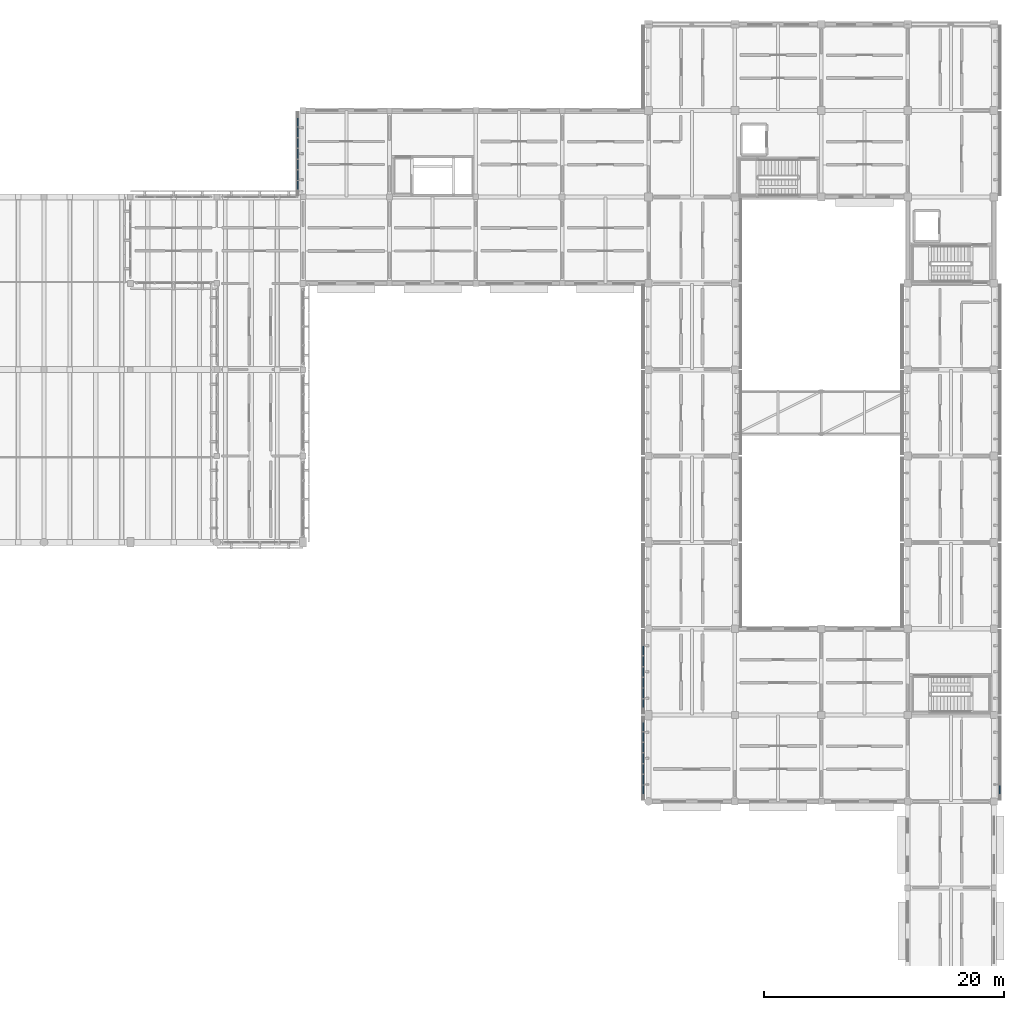
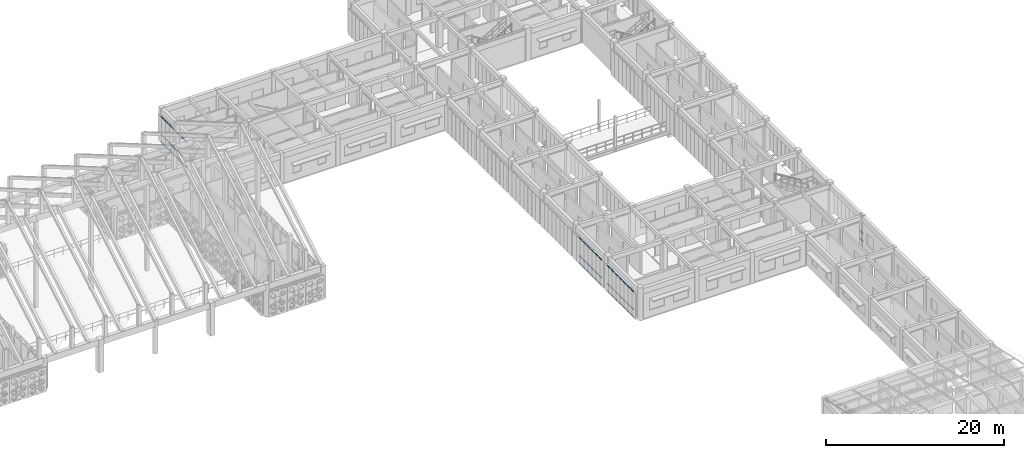
# One storey, part 83 of 171: 63 members, 4 elements without a shape of their own.
"""IFC4 building model written with IfcOpenShell, lengths in metres."""

from ifc_helpers import new_model, si_unit, direction, frame, origin, origin_2d, place, context, subcontext, project, spatial, hollow_rectangle, extrude, material, material_profile, profile_set, type_object, element, aggregate, save


model = new_model("IFC4")

# Units and contexts
model_context = context("Model", 3, precision=1e-05, world=origin(), true_north=direction((0.0, 1.0)))
body_context = subcontext(model_context, "Body", "Model", "MODEL_VIEW")
ifc_project = project(units=[si_unit("LENGTHUNIT", "METRE"), si_unit("AREAUNIT", "SQUARE_METRE"), si_unit("VOLUMEUNIT", "CUBIC_METRE"), si_unit("PLANEANGLEUNIT", "RADIAN"), si_unit("MASSUNIT", "GRAM", prefix="KILO")], contexts=[model_context])

# Site, building, storey
site_placement = place(None, origin())
site = spatial("IfcSite", under=ifc_project, at=site_placement, CompositionType="ELEMENT")
building_placement = place(site_placement, origin())
building = spatial("IfcBuilding", under=site, at=building_placement, Name="Aldebral Square Health Centre", CompositionType="ELEMENT")
storey_placement = place(building_placement, frame((0.0, 0.0, 4.5)))
storey = spatial("IfcBuildingStorey", under=building, at=storey_placement, Name="L01", CompositionType="ELEMENT", Elevation=4.5)

# Curtain wall, members
ifc_material_1 = material(Name="Aluminium and low-E solar glass", Category="aluminium")
curtain_wall_type = type_object("IfcCurtainWallType", Name="CW-FIN-SYS", PredefinedType="USERDEFINED", material=ifc_material_1)
curtain_wall_1_placement = place(storey_placement, origin())
curtain_wall_1 = element("IfcCurtainWall", 1, at=curtain_wall_1_placement, inside=storey, type_object=curtain_wall_type, Name="L01 V5 finned curtain wall L01-V5-15-14-W", ObjectType="SOLAR_CURTAIN_WALL", PredefinedType="USERDEFINED")
ifc_material_2 = material(Name="Anodised aluminium transom", Category="aluminium")
ifc_material_profile = material_profile(ifc_material_2, hollow_rectangle(XDim=0.074951171875, YDim=0.14990234375, WallThickness=0.00390625, at=origin_2d()), Name="CWT 75x150x4")
ifc_profile_set = profile_set([ifc_material_profile], Name="Anodised aluminium transom")
member_type = type_object("IfcMemberType", Name="CWT-STD", PredefinedType="USERDEFINED", material=ifc_profile_set)
member_1_placement = place(storey_placement, frame((107.5400390625, 107.360107421875, 0.03759765625), z_axis=(0.0, -1.0, 0.0), x_axis=(1.0, 0.0, 0.0)))
member_1 = element("IfcMember", 2, at=member_1_placement, type_object=member_type, Name="CW1 transom 1.1", ObjectType="TRANSOM", PredefinedType="USERDEFINED", context=body_context, shape_type="SweptSolid", body=[
    extrude(hollow_rectangle(XDim=0.074951171875, YDim=0.14990234375, WallThickness=0.00390625, at=origin_2d()), origin(), (0.0, 0.0, 1.0), 0.651611328125),
])
member_2_placement = place(storey_placement, frame((107.5400390625, 107.360107421875, 1.050048828125), z_axis=(0.0, -1.0, 0.0), x_axis=(1.0, 0.0, 0.0)))
member_2 = element("IfcMember", 3, at=member_2_placement, type_object=member_type, Name="CW1 transom 1.2", ObjectType="TRANSOM", PredefinedType="USERDEFINED", context=body_context, shape_type="SweptSolid", body=[
    extrude(hollow_rectangle(XDim=0.074951171875, YDim=0.14990234375, WallThickness=0.00390625, at=origin_2d()), origin(), (0.0, 0.0, 1.0), 0.651611328125),
])
member_3_placement = place(storey_placement, frame((107.5400390625, 107.360107421875, 3.482421875), z_axis=(0.0, -1.0, 0.0), x_axis=(1.0, 0.0, 0.0)))
member_3 = element("IfcMember", 4, at=member_3_placement, type_object=member_type, Name="CW1 transom 1.3", ObjectType="TRANSOM", PredefinedType="USERDEFINED", context=body_context, shape_type="SweptSolid", body=[
    extrude(hollow_rectangle(XDim=0.074951171875, YDim=0.14990234375, WallThickness=0.00390625, at=origin_2d()), origin(), (0.0, 0.0, 1.0), 0.651611328125),
])
member_4_placement = place(storey_placement, frame((107.5400390625, 106.548583984375, 0.03759765625), z_axis=(0.0, -1.0, 0.0), x_axis=(1.0, 0.0, 0.0)))
member_4 = element("IfcMember", 5, at=member_4_placement, type_object=member_type, Name="CW1 transom 2.1", ObjectType="TRANSOM", PredefinedType="USERDEFINED", context=body_context, shape_type="SweptSolid", body=[
    extrude(hollow_rectangle(XDim=0.074951171875, YDim=0.14990234375, WallThickness=0.00390625, at=origin_2d()), origin(), (0.0, 0.0, 1.0), 0.7314453125),
])
member_5_placement = place(storey_placement, frame((107.5400390625, 106.548583984375, 1.050048828125), z_axis=(0.0, -1.0, 0.0), x_axis=(1.0, 0.0, 0.0)))
member_5 = element("IfcMember", 6, at=member_5_placement, type_object=member_type, Name="CW1 transom 2.2", ObjectType="TRANSOM", PredefinedType="USERDEFINED", context=body_context, shape_type="SweptSolid", body=[
    extrude(hollow_rectangle(XDim=0.074951171875, YDim=0.14990234375, WallThickness=0.00390625, at=origin_2d()), origin(), (0.0, 0.0, 1.0), 0.7314453125),
])
member_6_placement = place(storey_placement, frame((107.5400390625, 106.548583984375, 3.482421875), z_axis=(0.0, -1.0, 0.0), x_axis=(1.0, 0.0, 0.0)))
member_6 = element("IfcMember", 7, at=member_6_placement, type_object=member_type, Name="CW1 transom 2.3", ObjectType="TRANSOM", PredefinedType="USERDEFINED", context=body_context, shape_type="SweptSolid", body=[
    extrude(hollow_rectangle(XDim=0.074951171875, YDim=0.14990234375, WallThickness=0.00390625, at=origin_2d()), origin(), (0.0, 0.0, 1.0), 0.7314453125),
])
member_7_placement = place(storey_placement, frame((107.5400390625, 105.6572265625, 0.03759765625), z_axis=(0.0, -1.0, 0.0), x_axis=(1.0, 0.0, 0.0)))
member_7 = element("IfcMember", 8, at=member_7_placement, type_object=member_type, Name="CW1 transom 3.1", ObjectType="TRANSOM", PredefinedType="USERDEFINED", context=body_context, shape_type="SweptSolid", body=[
    extrude(hollow_rectangle(XDim=0.074951171875, YDim=0.14990234375, WallThickness=0.00390625, at=origin_2d()), origin(), (0.0, 0.0, 1.0), 0.7314453125),
])
member_8_placement = place(storey_placement, frame((107.5400390625, 105.6572265625, 1.050048828125), z_axis=(0.0, -1.0, 0.0), x_axis=(1.0, 0.0, 0.0)))
member_8 = element("IfcMember", 9, at=member_8_placement, type_object=member_type, Name="CW1 transom 3.2", ObjectType="TRANSOM", PredefinedType="USERDEFINED", context=body_context, shape_type="SweptSolid", body=[
    extrude(hollow_rectangle(XDim=0.074951171875, YDim=0.14990234375, WallThickness=0.00390625, at=origin_2d()), origin(), (0.0, 0.0, 1.0), 0.7314453125),
])
member_9_placement = place(storey_placement, frame((107.5400390625, 105.6572265625, 3.482421875), z_axis=(0.0, -1.0, 0.0), x_axis=(1.0, 0.0, 0.0)))
member_9 = element("IfcMember", 10, at=member_9_placement, type_object=member_type, Name="CW1 transom 3.3", ObjectType="TRANSOM", PredefinedType="USERDEFINED", context=body_context, shape_type="SweptSolid", body=[
    extrude(hollow_rectangle(XDim=0.074951171875, YDim=0.14990234375, WallThickness=0.00390625, at=origin_2d()), origin(), (0.0, 0.0, 1.0), 0.7314453125),
])
member_10_placement = place(storey_placement, frame((107.5400390625, 104.765625, 0.03759765625), z_axis=(0.0, -1.0, 0.0), x_axis=(1.0, 0.0, 0.0)))
member_10 = element("IfcMember", 11, at=member_10_placement, type_object=member_type, Name="CW1 transom 4.1", ObjectType="TRANSOM", PredefinedType="USERDEFINED", context=body_context, shape_type="SweptSolid", body=[
    extrude(hollow_rectangle(XDim=0.074951171875, YDim=0.14990234375, WallThickness=0.00390625, at=origin_2d()), origin(), (0.0, 0.0, 1.0), 0.7314453125),
])
member_11_placement = place(storey_placement, frame((107.5400390625, 104.765625, 1.050048828125), z_axis=(0.0, -1.0, 0.0), x_axis=(1.0, 0.0, 0.0)))
member_11 = element("IfcMember", 12, at=member_11_placement, type_object=member_type, Name="CW1 transom 4.2", ObjectType="TRANSOM", PredefinedType="USERDEFINED", context=body_context, shape_type="SweptSolid", body=[
    extrude(hollow_rectangle(XDim=0.074951171875, YDim=0.14990234375, WallThickness=0.00390625, at=origin_2d()), origin(), (0.0, 0.0, 1.0), 0.7314453125),
])
member_12_placement = place(storey_placement, frame((107.5400390625, 104.765625, 3.482421875), z_axis=(0.0, -1.0, 0.0), x_axis=(1.0, 0.0, 0.0)))
member_12 = element("IfcMember", 13, at=member_12_placement, type_object=member_type, Name="CW1 transom 4.3", ObjectType="TRANSOM", PredefinedType="USERDEFINED", context=body_context, shape_type="SweptSolid", body=[
    extrude(hollow_rectangle(XDim=0.074951171875, YDim=0.14990234375, WallThickness=0.00390625, at=origin_2d()), origin(), (0.0, 0.0, 1.0), 0.7314453125),
])
member_13_placement = place(storey_placement, frame((107.5400390625, 103.874267578125, 0.03759765625), z_axis=(0.0, -1.0, 0.0), x_axis=(1.0, 0.0, 0.0)))
member_13 = element("IfcMember", 14, at=member_13_placement, type_object=member_type, Name="CW1 transom 5.1", ObjectType="TRANSOM", PredefinedType="USERDEFINED", context=body_context, shape_type="SweptSolid", body=[
    extrude(hollow_rectangle(XDim=0.074951171875, YDim=0.14990234375, WallThickness=0.00390625, at=origin_2d()), origin(), (0.0, 0.0, 1.0), 0.7314453125),
])
member_14_placement = place(storey_placement, frame((107.5400390625, 103.874267578125, 1.050048828125), z_axis=(0.0, -1.0, 0.0), x_axis=(1.0, 0.0, 0.0)))
member_14 = element("IfcMember", 15, at=member_14_placement, type_object=member_type, Name="CW1 transom 5.2", ObjectType="TRANSOM", PredefinedType="USERDEFINED", context=body_context, shape_type="SweptSolid", body=[
    extrude(hollow_rectangle(XDim=0.074951171875, YDim=0.14990234375, WallThickness=0.00390625, at=origin_2d()), origin(), (0.0, 0.0, 1.0), 0.7314453125),
])
member_15_placement = place(storey_placement, frame((107.5400390625, 103.874267578125, 3.482421875), z_axis=(0.0, -1.0, 0.0), x_axis=(1.0, 0.0, 0.0)))
member_15 = element("IfcMember", 16, at=member_15_placement, type_object=member_type, Name="CW1 transom 5.3", ObjectType="TRANSOM", PredefinedType="USERDEFINED", context=body_context, shape_type="SweptSolid", body=[
    extrude(hollow_rectangle(XDim=0.074951171875, YDim=0.14990234375, WallThickness=0.00390625, at=origin_2d()), origin(), (0.0, 0.0, 1.0), 0.7314453125),
])
member_16_placement = place(storey_placement, frame((107.5400390625, 102.98291015625, 0.03759765625), z_axis=(0.0, -1.0, 0.0), x_axis=(1.0, 0.0, 0.0)))
member_16 = element("IfcMember", 17, at=member_16_placement, type_object=member_type, Name="CW1 transom 6.1", ObjectType="TRANSOM", PredefinedType="USERDEFINED", context=body_context, shape_type="SweptSolid", body=[
    extrude(hollow_rectangle(XDim=0.074951171875, YDim=0.14990234375, WallThickness=0.00390625, at=origin_2d()), origin(), (0.0, 0.0, 1.0), 0.7314453125),
])
member_17_placement = place(storey_placement, frame((107.5400390625, 102.98291015625, 1.050048828125), z_axis=(0.0, -1.0, 0.0), x_axis=(1.0, 0.0, 0.0)))
member_17 = element("IfcMember", 18, at=member_17_placement, type_object=member_type, Name="CW1 transom 6.2", ObjectType="TRANSOM", PredefinedType="USERDEFINED", context=body_context, shape_type="SweptSolid", body=[
    extrude(hollow_rectangle(XDim=0.074951171875, YDim=0.14990234375, WallThickness=0.00390625, at=origin_2d()), origin(), (0.0, 0.0, 1.0), 0.7314453125),
])
member_18_placement = place(storey_placement, frame((107.5400390625, 102.98291015625, 3.482421875), z_axis=(0.0, -1.0, 0.0), x_axis=(1.0, 0.0, 0.0)))
member_18 = element("IfcMember", 19, at=member_18_placement, type_object=member_type, Name="CW1 transom 6.3", ObjectType="TRANSOM", PredefinedType="USERDEFINED", context=body_context, shape_type="SweptSolid", body=[
    extrude(hollow_rectangle(XDim=0.074951171875, YDim=0.14990234375, WallThickness=0.00390625, at=origin_2d()), origin(), (0.0, 0.0, 1.0), 0.7314453125),
])
member_19_placement = place(storey_placement, frame((107.5400390625, 102.09130859375, 0.03759765625), z_axis=(0.0, -1.0, 0.0), x_axis=(1.0, 0.0, 0.0)))
member_19 = element("IfcMember", 20, at=member_19_placement, type_object=member_type, Name="CW1 transom 7.1", ObjectType="TRANSOM", PredefinedType="USERDEFINED", context=body_context, shape_type="SweptSolid", body=[
    extrude(hollow_rectangle(XDim=0.074951171875, YDim=0.14990234375, WallThickness=0.00390625, at=origin_2d()), origin(), (0.0, 0.0, 1.0), 0.6513671875),
])
member_20_placement = place(storey_placement, frame((107.5400390625, 102.09130859375, 1.050048828125), z_axis=(0.0, -1.0, 0.0), x_axis=(1.0, 0.0, 0.0)))
member_20 = element("IfcMember", 21, at=member_20_placement, type_object=member_type, Name="CW1 transom 7.2", ObjectType="TRANSOM", PredefinedType="USERDEFINED", context=body_context, shape_type="SweptSolid", body=[
    extrude(hollow_rectangle(XDim=0.074951171875, YDim=0.14990234375, WallThickness=0.00390625, at=origin_2d()), origin(), (0.0, 0.0, 1.0), 0.6513671875),
])
member_21_placement = place(storey_placement, frame((107.5400390625, 102.09130859375, 3.482421875), z_axis=(0.0, -1.0, 0.0), x_axis=(1.0, 0.0, 0.0)))
member_21 = element("IfcMember", 22, at=member_21_placement, type_object=member_type, Name="CW1 transom 7.3", ObjectType="TRANSOM", PredefinedType="USERDEFINED", context=body_context, shape_type="SweptSolid", body=[
    extrude(hollow_rectangle(XDim=0.074951171875, YDim=0.14990234375, WallThickness=0.00390625, at=origin_2d()), origin(), (0.0, 0.0, 1.0), 0.6513671875),
])
aggregate(curtain_wall_1, [member_1, member_2, member_3, member_4, member_5, member_6, member_7, member_8, member_9, member_10, member_11, member_12, member_13, member_14, member_15, member_16, member_17, member_18, member_19, member_20, member_21])

curtain_wall_2_placement = place(storey_placement, origin())
curtain_wall_2 = element("IfcCurtainWall", 23, at=curtain_wall_2_placement, inside=storey, type_object=curtain_wall_type, Name="L01 V5 finned curtain wall L01-V5-19-07-W", ObjectType="SOLAR_CURTAIN_WALL", PredefinedType="USERDEFINED")
member_22_placement = place(storey_placement, frame((136.340087890625, 56.9599609375, 0.03759765625), z_axis=(0.0, -1.0, 0.0), x_axis=(1.0, 0.0, 0.0)))
member_22 = element("IfcMember", 24, at=member_22_placement, type_object=member_type, Name="CW1 transom 1.1", ObjectType="TRANSOM", PredefinedType="USERDEFINED", context=body_context, shape_type="SweptSolid", body=[
    extrude(hollow_rectangle(XDim=0.074951171875, YDim=0.14990234375, WallThickness=0.00390625, at=origin_2d()), origin(), (0.0, 0.0, 1.0), 0.6513671875),
])
member_23_placement = place(storey_placement, frame((136.340087890625, 56.9599609375, 1.050048828125), z_axis=(0.0, -1.0, 0.0), x_axis=(1.0, 0.0, 0.0)))
member_23 = element("IfcMember", 25, at=member_23_placement, type_object=member_type, Name="CW1 transom 1.2", ObjectType="TRANSOM", PredefinedType="USERDEFINED", context=body_context, shape_type="SweptSolid", body=[
    extrude(hollow_rectangle(XDim=0.074951171875, YDim=0.14990234375, WallThickness=0.00390625, at=origin_2d()), origin(), (0.0, 0.0, 1.0), 0.6513671875),
])
member_24_placement = place(storey_placement, frame((136.340087890625, 56.9599609375, 3.482421875), z_axis=(0.0, -1.0, 0.0), x_axis=(1.0, 0.0, 0.0)))
member_24 = element("IfcMember", 26, at=member_24_placement, type_object=member_type, Name="CW1 transom 1.3", ObjectType="TRANSOM", PredefinedType="USERDEFINED", context=body_context, shape_type="SweptSolid", body=[
    extrude(hollow_rectangle(XDim=0.074951171875, YDim=0.14990234375, WallThickness=0.00390625, at=origin_2d()), origin(), (0.0, 0.0, 1.0), 0.6513671875),
])
member_25_placement = place(storey_placement, frame((136.340087890625, 56.148681640625, 0.03759765625), z_axis=(0.0, -1.0, 0.0), x_axis=(1.0, 0.0, 0.0)))
member_25 = element("IfcMember", 27, at=member_25_placement, type_object=member_type, Name="CW1 transom 2.1", ObjectType="TRANSOM", PredefinedType="USERDEFINED", context=body_context, shape_type="SweptSolid", body=[
    extrude(hollow_rectangle(XDim=0.074951171875, YDim=0.14990234375, WallThickness=0.00390625, at=origin_2d()), origin(), (0.0, 0.0, 1.0), 0.7314453125),
])
member_26_placement = place(storey_placement, frame((136.340087890625, 56.148681640625, 1.050048828125), z_axis=(0.0, -1.0, 0.0), x_axis=(1.0, 0.0, 0.0)))
member_26 = element("IfcMember", 28, at=member_26_placement, type_object=member_type, Name="CW1 transom 2.2", ObjectType="TRANSOM", PredefinedType="USERDEFINED", context=body_context, shape_type="SweptSolid", body=[
    extrude(hollow_rectangle(XDim=0.074951171875, YDim=0.14990234375, WallThickness=0.00390625, at=origin_2d()), origin(), (0.0, 0.0, 1.0), 0.7314453125),
])
member_27_placement = place(storey_placement, frame((136.340087890625, 56.148681640625, 3.482421875), z_axis=(0.0, -1.0, 0.0), x_axis=(1.0, 0.0, 0.0)))
member_27 = element("IfcMember", 29, at=member_27_placement, type_object=member_type, Name="CW1 transom 2.3", ObjectType="TRANSOM", PredefinedType="USERDEFINED", context=body_context, shape_type="SweptSolid", body=[
    extrude(hollow_rectangle(XDim=0.074951171875, YDim=0.14990234375, WallThickness=0.00390625, at=origin_2d()), origin(), (0.0, 0.0, 1.0), 0.7314453125),
])
member_28_placement = place(storey_placement, frame((136.340087890625, 55.257080078125, 0.03759765625), z_axis=(0.0, -1.0, 0.0), x_axis=(1.0, 0.0, 0.0)))
member_28 = element("IfcMember", 30, at=member_28_placement, type_object=member_type, Name="CW1 transom 3.1", ObjectType="TRANSOM", PredefinedType="USERDEFINED", context=body_context, shape_type="SweptSolid", body=[
    extrude(hollow_rectangle(XDim=0.074951171875, YDim=0.14990234375, WallThickness=0.00390625, at=origin_2d()), origin(), (0.0, 0.0, 1.0), 0.7314453125),
])
member_29_placement = place(storey_placement, frame((136.340087890625, 55.257080078125, 1.050048828125), z_axis=(0.0, -1.0, 0.0), x_axis=(1.0, 0.0, 0.0)))
member_29 = element("IfcMember", 31, at=member_29_placement, type_object=member_type, Name="CW1 transom 3.2", ObjectType="TRANSOM", PredefinedType="USERDEFINED", context=body_context, shape_type="SweptSolid", body=[
    extrude(hollow_rectangle(XDim=0.074951171875, YDim=0.14990234375, WallThickness=0.00390625, at=origin_2d()), origin(), (0.0, 0.0, 1.0), 0.7314453125),
])
member_30_placement = place(storey_placement, frame((136.340087890625, 55.257080078125, 3.482421875), z_axis=(0.0, -1.0, 0.0), x_axis=(1.0, 0.0, 0.0)))
member_30 = element("IfcMember", 32, at=member_30_placement, type_object=member_type, Name="CW1 transom 3.3", ObjectType="TRANSOM", PredefinedType="USERDEFINED", context=body_context, shape_type="SweptSolid", body=[
    extrude(hollow_rectangle(XDim=0.074951171875, YDim=0.14990234375, WallThickness=0.00390625, at=origin_2d()), origin(), (0.0, 0.0, 1.0), 0.7314453125),
])
member_31_placement = place(storey_placement, frame((136.340087890625, 54.36572265625, 0.03759765625), z_axis=(0.0, -1.0, 0.0), x_axis=(1.0, 0.0, 0.0)))
member_31 = element("IfcMember", 33, at=member_31_placement, type_object=member_type, Name="CW1 transom 4.1", ObjectType="TRANSOM", PredefinedType="USERDEFINED", context=body_context, shape_type="SweptSolid", body=[
    extrude(hollow_rectangle(XDim=0.074951171875, YDim=0.14990234375, WallThickness=0.00390625, at=origin_2d()), origin(), (0.0, 0.0, 1.0), 0.7314453125),
])
member_32_placement = place(storey_placement, frame((136.340087890625, 54.36572265625, 1.050048828125), z_axis=(0.0, -1.0, 0.0), x_axis=(1.0, 0.0, 0.0)))
member_32 = element("IfcMember", 34, at=member_32_placement, type_object=member_type, Name="CW1 transom 4.2", ObjectType="TRANSOM", PredefinedType="USERDEFINED", context=body_context, shape_type="SweptSolid", body=[
    extrude(hollow_rectangle(XDim=0.074951171875, YDim=0.14990234375, WallThickness=0.00390625, at=origin_2d()), origin(), (0.0, 0.0, 1.0), 0.7314453125),
])
member_33_placement = place(storey_placement, frame((136.340087890625, 54.36572265625, 3.482421875), z_axis=(0.0, -1.0, 0.0), x_axis=(1.0, 0.0, 0.0)))
member_33 = element("IfcMember", 35, at=member_33_placement, type_object=member_type, Name="CW1 transom 4.3", ObjectType="TRANSOM", PredefinedType="USERDEFINED", context=body_context, shape_type="SweptSolid", body=[
    extrude(hollow_rectangle(XDim=0.074951171875, YDim=0.14990234375, WallThickness=0.00390625, at=origin_2d()), origin(), (0.0, 0.0, 1.0), 0.7314453125),
])
member_34_placement = place(storey_placement, frame((136.340087890625, 53.474365234375, 0.03759765625), z_axis=(0.0, -1.0, 0.0), x_axis=(1.0, 0.0, 0.0)))
member_34 = element("IfcMember", 36, at=member_34_placement, type_object=member_type, Name="CW1 transom 5.1", ObjectType="TRANSOM", PredefinedType="USERDEFINED", context=body_context, shape_type="SweptSolid", body=[
    extrude(hollow_rectangle(XDim=0.074951171875, YDim=0.14990234375, WallThickness=0.00390625, at=origin_2d()), origin(), (0.0, 0.0, 1.0), 0.7314453125),
])
member_35_placement = place(storey_placement, frame((136.340087890625, 53.474365234375, 1.050048828125), z_axis=(0.0, -1.0, 0.0), x_axis=(1.0, 0.0, 0.0)))
member_35 = element("IfcMember", 37, at=member_35_placement, type_object=member_type, Name="CW1 transom 5.2", ObjectType="TRANSOM", PredefinedType="USERDEFINED", context=body_context, shape_type="SweptSolid", body=[
    extrude(hollow_rectangle(XDim=0.074951171875, YDim=0.14990234375, WallThickness=0.00390625, at=origin_2d()), origin(), (0.0, 0.0, 1.0), 0.7314453125),
])
member_36_placement = place(storey_placement, frame((136.340087890625, 53.474365234375, 3.482421875), z_axis=(0.0, -1.0, 0.0), x_axis=(1.0, 0.0, 0.0)))
member_36 = element("IfcMember", 38, at=member_36_placement, type_object=member_type, Name="CW1 transom 5.3", ObjectType="TRANSOM", PredefinedType="USERDEFINED", context=body_context, shape_type="SweptSolid", body=[
    extrude(hollow_rectangle(XDim=0.074951171875, YDim=0.14990234375, WallThickness=0.00390625, at=origin_2d()), origin(), (0.0, 0.0, 1.0), 0.7314453125),
])
member_37_placement = place(storey_placement, frame((136.340087890625, 52.582763671875, 0.03759765625), z_axis=(0.0, -1.0, 0.0), x_axis=(1.0, 0.0, 0.0)))
member_37 = element("IfcMember", 39, at=member_37_placement, type_object=member_type, Name="CW1 transom 6.1", ObjectType="TRANSOM", PredefinedType="USERDEFINED", context=body_context, shape_type="SweptSolid", body=[
    extrude(hollow_rectangle(XDim=0.074951171875, YDim=0.14990234375, WallThickness=0.00390625, at=origin_2d()), origin(), (0.0, 0.0, 1.0), 0.7314453125),
])
member_38_placement = place(storey_placement, frame((136.340087890625, 52.582763671875, 1.050048828125), z_axis=(0.0, -1.0, 0.0), x_axis=(1.0, 0.0, 0.0)))
member_38 = element("IfcMember", 40, at=member_38_placement, type_object=member_type, Name="CW1 transom 6.2", ObjectType="TRANSOM", PredefinedType="USERDEFINED", context=body_context, shape_type="SweptSolid", body=[
    extrude(hollow_rectangle(XDim=0.074951171875, YDim=0.14990234375, WallThickness=0.00390625, at=origin_2d()), origin(), (0.0, 0.0, 1.0), 0.7314453125),
])
member_39_placement = place(storey_placement, frame((136.340087890625, 52.582763671875, 3.482421875), z_axis=(0.0, -1.0, 0.0), x_axis=(1.0, 0.0, 0.0)))
member_39 = element("IfcMember", 41, at=member_39_placement, type_object=member_type, Name="CW1 transom 6.3", ObjectType="TRANSOM", PredefinedType="USERDEFINED", context=body_context, shape_type="SweptSolid", body=[
    extrude(hollow_rectangle(XDim=0.074951171875, YDim=0.14990234375, WallThickness=0.00390625, at=origin_2d()), origin(), (0.0, 0.0, 1.0), 0.7314453125),
])
member_40_placement = place(storey_placement, frame((136.340087890625, 51.69140625, 0.03759765625), z_axis=(0.0, -1.0, 0.0), x_axis=(1.0, 0.0, 0.0)))
member_40 = element("IfcMember", 42, at=member_40_placement, type_object=member_type, Name="CW1 transom 7.1", ObjectType="TRANSOM", PredefinedType="USERDEFINED", context=body_context, shape_type="SweptSolid", body=[
    extrude(hollow_rectangle(XDim=0.074951171875, YDim=0.14990234375, WallThickness=0.00390625, at=origin_2d()), origin(), (0.0, 0.0, 1.0), 0.6513671875),
])
member_41_placement = place(storey_placement, frame((136.340087890625, 51.69140625, 1.050048828125), z_axis=(0.0, -1.0, 0.0), x_axis=(1.0, 0.0, 0.0)))
member_41 = element("IfcMember", 43, at=member_41_placement, type_object=member_type, Name="CW1 transom 7.2", ObjectType="TRANSOM", PredefinedType="USERDEFINED", context=body_context, shape_type="SweptSolid", body=[
    extrude(hollow_rectangle(XDim=0.074951171875, YDim=0.14990234375, WallThickness=0.00390625, at=origin_2d()), origin(), (0.0, 0.0, 1.0), 0.6513671875),
])
member_42_placement = place(storey_placement, frame((136.340087890625, 51.69140625, 3.482421875), z_axis=(0.0, -1.0, 0.0), x_axis=(1.0, 0.0, 0.0)))
member_42 = element("IfcMember", 44, at=member_42_placement, type_object=member_type, Name="CW1 transom 7.3", ObjectType="TRANSOM", PredefinedType="USERDEFINED", context=body_context, shape_type="SweptSolid", body=[
    extrude(hollow_rectangle(XDim=0.074951171875, YDim=0.14990234375, WallThickness=0.00390625, at=origin_2d()), origin(), (0.0, 0.0, 1.0), 0.6513671875),
])
aggregate(curtain_wall_2, [member_22, member_23, member_24, member_25, member_26, member_27, member_28, member_29, member_30, member_31, member_32, member_33, member_34, member_35, member_36, member_37, member_38, member_39, member_40, member_41, member_42])

curtain_wall_3_placement = place(storey_placement, origin())
curtain_wall_3 = element("IfcCurtainWall", 45, at=curtain_wall_3_placement, inside=storey, type_object=curtain_wall_type, Name="L01 V5 finned curtain wall L01-V5-19-08-W", ObjectType="SOLAR_CURTAIN_WALL", PredefinedType="USERDEFINED")
member_43_placement = place(storey_placement, frame((136.340087890625, 63.3486328125, 0.03759765625), z_axis=(0.0, -1.0, 0.0), x_axis=(1.0, 0.0, 0.0)))
member_43 = element("IfcMember", 46, at=member_43_placement, type_object=member_type, Name="CW1 transom 2.1", ObjectType="TRANSOM", PredefinedType="USERDEFINED", context=body_context, shape_type="SweptSolid", body=[
    extrude(hollow_rectangle(XDim=0.074951171875, YDim=0.14990234375, WallThickness=0.00390625, at=origin_2d()), origin(), (0.0, 0.0, 1.0), 0.7314453125),
])
member_44_placement = place(storey_placement, frame((136.340087890625, 63.3486328125, 1.050048828125), z_axis=(0.0, -1.0, 0.0), x_axis=(1.0, 0.0, 0.0)))
member_44 = element("IfcMember", 47, at=member_44_placement, type_object=member_type, Name="CW1 transom 2.2", ObjectType="TRANSOM", PredefinedType="USERDEFINED", context=body_context, shape_type="SweptSolid", body=[
    extrude(hollow_rectangle(XDim=0.074951171875, YDim=0.14990234375, WallThickness=0.00390625, at=origin_2d()), origin(), (0.0, 0.0, 1.0), 0.7314453125),
])
member_45_placement = place(storey_placement, frame((136.340087890625, 63.3486328125, 3.482421875), z_axis=(0.0, -1.0, 0.0), x_axis=(1.0, 0.0, 0.0)))
member_45 = element("IfcMember", 48, at=member_45_placement, type_object=member_type, Name="CW1 transom 2.3", ObjectType="TRANSOM", PredefinedType="USERDEFINED", context=body_context, shape_type="SweptSolid", body=[
    extrude(hollow_rectangle(XDim=0.074951171875, YDim=0.14990234375, WallThickness=0.00390625, at=origin_2d()), origin(), (0.0, 0.0, 1.0), 0.7314453125),
])
member_46_placement = place(storey_placement, frame((136.340087890625, 62.45703125, 0.03759765625), z_axis=(0.0, -1.0, 0.0), x_axis=(1.0, 0.0, 0.0)))
member_46 = element("IfcMember", 49, at=member_46_placement, type_object=member_type, Name="CW1 transom 3.1", ObjectType="TRANSOM", PredefinedType="USERDEFINED", context=body_context, shape_type="SweptSolid", body=[
    extrude(hollow_rectangle(XDim=0.074951171875, YDim=0.14990234375, WallThickness=0.00390625, at=origin_2d()), origin(), (0.0, 0.0, 1.0), 0.731201171875),
])
member_47_placement = place(storey_placement, frame((136.340087890625, 62.45703125, 1.050048828125), z_axis=(0.0, -1.0, 0.0), x_axis=(1.0, 0.0, 0.0)))
member_47 = element("IfcMember", 50, at=member_47_placement, type_object=member_type, Name="CW1 transom 3.2", ObjectType="TRANSOM", PredefinedType="USERDEFINED", context=body_context, shape_type="SweptSolid", body=[
    extrude(hollow_rectangle(XDim=0.074951171875, YDim=0.14990234375, WallThickness=0.00390625, at=origin_2d()), origin(), (0.0, 0.0, 1.0), 0.731201171875),
])
member_48_placement = place(storey_placement, frame((136.340087890625, 62.45703125, 3.482421875), z_axis=(0.0, -1.0, 0.0), x_axis=(1.0, 0.0, 0.0)))
member_48 = element("IfcMember", 51, at=member_48_placement, type_object=member_type, Name="CW1 transom 3.3", ObjectType="TRANSOM", PredefinedType="USERDEFINED", context=body_context, shape_type="SweptSolid", body=[
    extrude(hollow_rectangle(XDim=0.074951171875, YDim=0.14990234375, WallThickness=0.00390625, at=origin_2d()), origin(), (0.0, 0.0, 1.0), 0.731201171875),
])
member_49_placement = place(storey_placement, frame((136.340087890625, 61.565673828125, 0.03759765625), z_axis=(0.0, -1.0, 0.0), x_axis=(1.0, 0.0, 0.0)))
member_49 = element("IfcMember", 52, at=member_49_placement, type_object=member_type, Name="CW1 transom 4.1", ObjectType="TRANSOM", PredefinedType="USERDEFINED", context=body_context, shape_type="SweptSolid", body=[
    extrude(hollow_rectangle(XDim=0.074951171875, YDim=0.14990234375, WallThickness=0.00390625, at=origin_2d()), origin(), (0.0, 0.0, 1.0), 0.7314453125),
])
member_50_placement = place(storey_placement, frame((136.340087890625, 61.565673828125, 1.050048828125), z_axis=(0.0, -1.0, 0.0), x_axis=(1.0, 0.0, 0.0)))
member_50 = element("IfcMember", 53, at=member_50_placement, type_object=member_type, Name="CW1 transom 4.2", ObjectType="TRANSOM", PredefinedType="USERDEFINED", context=body_context, shape_type="SweptSolid", body=[
    extrude(hollow_rectangle(XDim=0.074951171875, YDim=0.14990234375, WallThickness=0.00390625, at=origin_2d()), origin(), (0.0, 0.0, 1.0), 0.7314453125),
])
member_51_placement = place(storey_placement, frame((136.340087890625, 61.565673828125, 3.482421875), z_axis=(0.0, -1.0, 0.0), x_axis=(1.0, 0.0, 0.0)))
member_51 = element("IfcMember", 54, at=member_51_placement, type_object=member_type, Name="CW1 transom 4.3", ObjectType="TRANSOM", PredefinedType="USERDEFINED", context=body_context, shape_type="SweptSolid", body=[
    extrude(hollow_rectangle(XDim=0.074951171875, YDim=0.14990234375, WallThickness=0.00390625, at=origin_2d()), origin(), (0.0, 0.0, 1.0), 0.7314453125),
])
member_52_placement = place(storey_placement, frame((136.340087890625, 60.67431640625, 0.03759765625), z_axis=(0.0, -1.0, 0.0), x_axis=(1.0, 0.0, 0.0)))
member_52 = element("IfcMember", 55, at=member_52_placement, type_object=member_type, Name="CW1 transom 5.1", ObjectType="TRANSOM", PredefinedType="USERDEFINED", context=body_context, shape_type="SweptSolid", body=[
    extrude(hollow_rectangle(XDim=0.074951171875, YDim=0.14990234375, WallThickness=0.00390625, at=origin_2d()), origin(), (0.0, 0.0, 1.0), 0.7314453125),
])
member_53_placement = place(storey_placement, frame((136.340087890625, 60.67431640625, 1.050048828125), z_axis=(0.0, -1.0, 0.0), x_axis=(1.0, 0.0, 0.0)))
member_53 = element("IfcMember", 56, at=member_53_placement, type_object=member_type, Name="CW1 transom 5.2", ObjectType="TRANSOM", PredefinedType="USERDEFINED", context=body_context, shape_type="SweptSolid", body=[
    extrude(hollow_rectangle(XDim=0.074951171875, YDim=0.14990234375, WallThickness=0.00390625, at=origin_2d()), origin(), (0.0, 0.0, 1.0), 0.7314453125),
])
member_54_placement = place(storey_placement, frame((136.340087890625, 60.67431640625, 3.482421875), z_axis=(0.0, -1.0, 0.0), x_axis=(1.0, 0.0, 0.0)))
member_54 = element("IfcMember", 57, at=member_54_placement, type_object=member_type, Name="CW1 transom 5.3", ObjectType="TRANSOM", PredefinedType="USERDEFINED", context=body_context, shape_type="SweptSolid", body=[
    extrude(hollow_rectangle(XDim=0.074951171875, YDim=0.14990234375, WallThickness=0.00390625, at=origin_2d()), origin(), (0.0, 0.0, 1.0), 0.7314453125),
])
member_55_placement = place(storey_placement, frame((136.340087890625, 59.782958984375, 0.03759765625), z_axis=(0.0, -1.0, 0.0), x_axis=(1.0, 0.0, 0.0)))
member_55 = element("IfcMember", 58, at=member_55_placement, type_object=member_type, Name="CW1 transom 6.1", ObjectType="TRANSOM", PredefinedType="USERDEFINED", context=body_context, shape_type="SweptSolid", body=[
    extrude(hollow_rectangle(XDim=0.074951171875, YDim=0.14990234375, WallThickness=0.00390625, at=origin_2d()), origin(), (0.0, 0.0, 1.0), 0.7314453125),
])
member_56_placement = place(storey_placement, frame((136.340087890625, 59.782958984375, 1.050048828125), z_axis=(0.0, -1.0, 0.0), x_axis=(1.0, 0.0, 0.0)))
member_56 = element("IfcMember", 59, at=member_56_placement, type_object=member_type, Name="CW1 transom 6.2", ObjectType="TRANSOM", PredefinedType="USERDEFINED", context=body_context, shape_type="SweptSolid", body=[
    extrude(hollow_rectangle(XDim=0.074951171875, YDim=0.14990234375, WallThickness=0.00390625, at=origin_2d()), origin(), (0.0, 0.0, 1.0), 0.7314453125),
])
member_57_placement = place(storey_placement, frame((136.340087890625, 59.782958984375, 3.482421875), z_axis=(0.0, -1.0, 0.0), x_axis=(1.0, 0.0, 0.0)))
member_57 = element("IfcMember", 60, at=member_57_placement, type_object=member_type, Name="CW1 transom 6.3", ObjectType="TRANSOM", PredefinedType="USERDEFINED", context=body_context, shape_type="SweptSolid", body=[
    extrude(hollow_rectangle(XDim=0.074951171875, YDim=0.14990234375, WallThickness=0.00390625, at=origin_2d()), origin(), (0.0, 0.0, 1.0), 0.7314453125),
])
member_58_placement = place(storey_placement, frame((136.340087890625, 58.891357421875, 0.03759765625), z_axis=(0.0, -1.0, 0.0), x_axis=(1.0, 0.0, 0.0)))
member_58 = element("IfcMember", 61, at=member_58_placement, type_object=member_type, Name="CW1 transom 7.1", ObjectType="TRANSOM", PredefinedType="USERDEFINED", context=body_context, shape_type="SweptSolid", body=[
    extrude(hollow_rectangle(XDim=0.074951171875, YDim=0.14990234375, WallThickness=0.00390625, at=origin_2d()), origin(), (0.0, 0.0, 1.0), 0.6513671875),
])
member_59_placement = place(storey_placement, frame((136.340087890625, 58.891357421875, 1.050048828125), z_axis=(0.0, -1.0, 0.0), x_axis=(1.0, 0.0, 0.0)))
member_59 = element("IfcMember", 62, at=member_59_placement, type_object=member_type, Name="CW1 transom 7.2", ObjectType="TRANSOM", PredefinedType="USERDEFINED", context=body_context, shape_type="SweptSolid", body=[
    extrude(hollow_rectangle(XDim=0.074951171875, YDim=0.14990234375, WallThickness=0.00390625, at=origin_2d()), origin(), (0.0, 0.0, 1.0), 0.6513671875),
])
member_60_placement = place(storey_placement, frame((136.340087890625, 58.891357421875, 3.482421875), z_axis=(0.0, -1.0, 0.0), x_axis=(1.0, 0.0, 0.0)))
member_60 = element("IfcMember", 63, at=member_60_placement, type_object=member_type, Name="CW1 transom 7.3", ObjectType="TRANSOM", PredefinedType="USERDEFINED", context=body_context, shape_type="SweptSolid", body=[
    extrude(hollow_rectangle(XDim=0.074951171875, YDim=0.14990234375, WallThickness=0.00390625, at=origin_2d()), origin(), (0.0, 0.0, 1.0), 0.6513671875),
])
aggregate(curtain_wall_3, [member_43, member_44, member_45, member_46, member_47, member_48, member_49, member_50, member_51, member_52, member_53, member_54, member_55, member_56, member_57, member_58, member_59, member_60])

curtain_wall_4_placement = place(storey_placement, origin())
curtain_wall_4 = element("IfcCurtainWall", 64, at=curtain_wall_4_placement, inside=storey, type_object=curtain_wall_type, Name="L01 V5 finned curtain wall L01-V5-22-07-E", ObjectType="SOLAR_CURTAIN_WALL", PredefinedType="USERDEFINED")
member_61_placement = place(storey_placement, frame((166.06005859375, 51.0400390625, 0.03759765625), z_axis=(0.0, 1.0, 0.0), x_axis=(-1.0, 0.0, 0.0)))
member_61 = element("IfcMember", 65, at=member_61_placement, type_object=member_type, Name="CW1 transom 1.1", ObjectType="TRANSOM", PredefinedType="USERDEFINED", context=body_context, shape_type="SweptSolid", body=[
    extrude(hollow_rectangle(XDim=0.074951171875, YDim=0.14990234375, WallThickness=0.00390625, at=origin_2d()), origin(), (0.0, 0.0, 1.0), 0.6513671875),
])
member_62_placement = place(storey_placement, frame((166.06005859375, 51.0400390625, 1.050048828125), z_axis=(0.0, 1.0, 0.0), x_axis=(-1.0, 0.0, 0.0)))
member_62 = element("IfcMember", 66, at=member_62_placement, type_object=member_type, Name="CW1 transom 1.2", ObjectType="TRANSOM", PredefinedType="USERDEFINED", context=body_context, shape_type="SweptSolid", body=[
    extrude(hollow_rectangle(XDim=0.074951171875, YDim=0.14990234375, WallThickness=0.00390625, at=origin_2d()), origin(), (0.0, 0.0, 1.0), 0.6513671875),
])
member_63_placement = place(storey_placement, frame((166.06005859375, 51.0400390625, 3.482421875), z_axis=(0.0, 1.0, 0.0), x_axis=(-1.0, 0.0, 0.0)))
member_63 = element("IfcMember", 67, at=member_63_placement, type_object=member_type, Name="CW1 transom 1.3", ObjectType="TRANSOM", PredefinedType="USERDEFINED", context=body_context, shape_type="SweptSolid", body=[
    extrude(hollow_rectangle(XDim=0.074951171875, YDim=0.14990234375, WallThickness=0.00390625, at=origin_2d()), origin(), (0.0, 0.0, 1.0), 0.6513671875),
])
aggregate(curtain_wall_4, [member_61, member_62, member_63])

save(model, "model.ifc")
